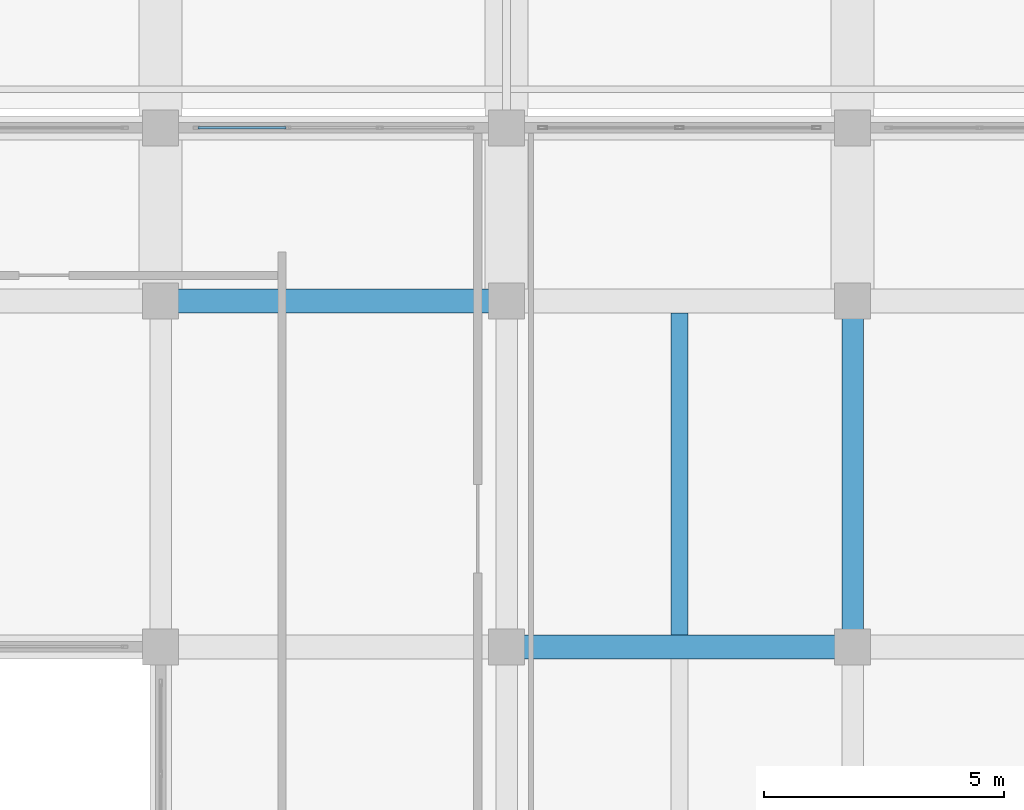
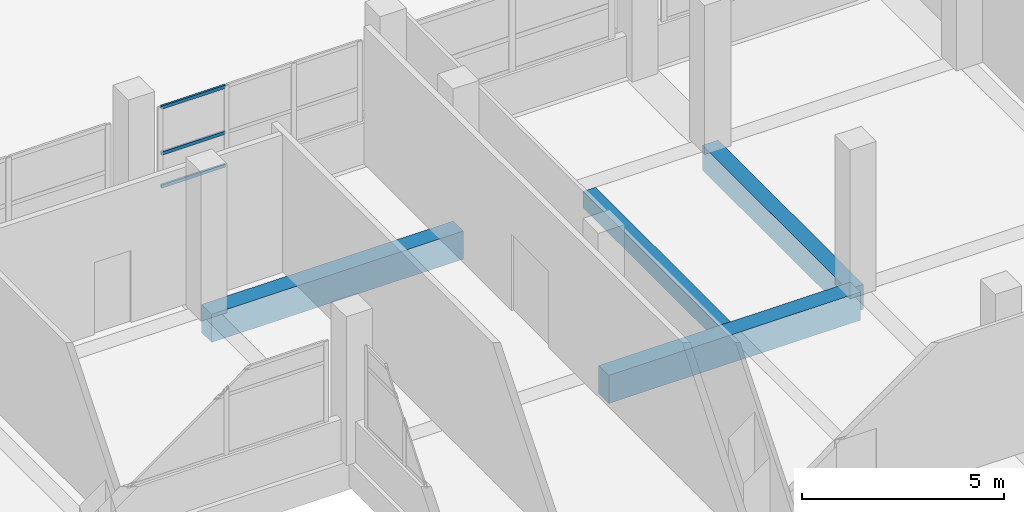
# One storey, part 90 of 141: 4 beams, 3 members, 1 element without a shape of its own.
"""IFC4 building model written with IfcOpenShell, lengths in metres."""

from ifc_helpers import new_model, si_unit, direction, frame, origin, origin_2d, place, context, subcontext, project, spatial, rectangle, hollow_rectangle, extrude, material, layer, layer_set, material_profile, profile_set, type_object, element, aggregate, save


model = new_model("IFC4")

# Units and contexts
model_context = context("Model", 3, precision=1e-05, world=origin(), true_north=direction((0.0, 1.0)))
body_context = subcontext(model_context, "Body", "Model", "MODEL_VIEW")
ifc_project = project(units=[si_unit("LENGTHUNIT", "METRE"), si_unit("AREAUNIT", "SQUARE_METRE"), si_unit("VOLUMEUNIT", "CUBIC_METRE"), si_unit("PLANEANGLEUNIT", "RADIAN"), si_unit("MASSUNIT", "GRAM", prefix="KILO")], contexts=[model_context])

# Site, building, storey
site_placement = place(None, origin())
site = spatial("IfcSite", under=ifc_project, at=site_placement, CompositionType="ELEMENT")
building_placement = place(site_placement, origin())
building = spatial("IfcBuilding", under=site, at=building_placement, Name="Seraya Terrace Polytechnic", CompositionType="ELEMENT")
storey_placement = place(building_placement, frame((0.0, 0.0, 14.39990234375)))
storey = spatial("IfcBuildingStorey", under=building, at=storey_placement, Name="L03", CompositionType="ELEMENT", Elevation=14.39990234375)

# Beams
ifc_material_1 = material(Name="Concrete C40/50", Category="concrete")
ifc_material_profile_1 = material_profile(ifc_material_1, rectangle(XDim=0.5, YDim=0.85009765625, at=origin_2d()), Name="RC 500x850")
ifc_profile_set_1 = profile_set([ifc_material_profile_1], Name="Concrete C40/50")
beam_type_1 = type_object("IfcBeamType", Name="BM-05", PredefinedType="BEAM", material=ifc_profile_set_1)
beam_1_placement = place(storey_placement, frame((86.39990234375, 64.800048828125, -0.4248046875), z_axis=(1.0, 0.0, 0.0), x_axis=(0.0, 1.0, 0.0)))
element("IfcBeam", 1, at=beam_1_placement, inside=storey, type_object=beam_type_1, Name="Beam BM-05 L03 X (86.4..93.6, 64.8)", PredefinedType="BEAM", context=body_context, shape_type="SweptSolid", body=[
    extrude(rectangle(XDim=0.5, YDim=0.85009765625, at=origin_2d()), origin(), (0.0, 0.0, 1.0), 7.2001953125),
])
beam_2_placement = place(storey_placement, frame((79.199951171875, 72.0, -0.4248046875), z_axis=(1.0, 0.0, 0.0), x_axis=(0.0, 1.0, 0.0)))
element("IfcBeam", 2, at=beam_2_placement, inside=storey, type_object=beam_type_1, Name="Beam BM-05 L03 X (79.2..86.4, 72.0)", PredefinedType="BEAM", context=body_context, shape_type="SweptSolid", body=[
    extrude(rectangle(XDim=0.5, YDim=0.85009765625, at=origin_2d()), origin(), (0.0, 0.0, 1.0), 7.199951171875),
])
ifc_material_profile_2 = material_profile(ifc_material_1, rectangle(XDim=0.449951171875, YDim=0.75, at=origin_2d()), Name="RC 450x750")
ifc_profile_set_2 = profile_set([ifc_material_profile_2], Name="Concrete C40/50")
beam_type_2 = type_object("IfcBeamType", Name="BM-08", PredefinedType="BEAM", material=ifc_profile_set_2)
beam_3_placement = place(storey_placement, frame((93.60009765625, 64.800048828125, -0.375), z_axis=(0.0, 1.0, 0.0), x_axis=(-1.0, 0.0, 0.0)))
element("IfcBeam", 3, at=beam_3_placement, inside=storey, type_object=beam_type_2, Name="Beam BM-08 L03 Y (93.6, 64.8..72.0)", PredefinedType="BEAM", context=body_context, shape_type="SweptSolid", body=[
    extrude(rectangle(XDim=0.449951171875, YDim=0.75, at=origin_2d()), origin(), (0.0, 0.0, 1.0), 7.199951171875),
])

# Curtain wall, members
ifc_material_2 = material(Name="Anodised aluminium EN AW-6063 T6", Category="aluminium")
ifc_layer = layer(ifc_material_2, 0.179931640625, Name="CW-15")
ifc_layer_set = layer_set([ifc_layer], Name="Anodised aluminium EN AW-6063 T6")
curtain_wall_type = type_object("IfcCurtainWallType", Name="CW-15", PredefinedType="NOTDEFINED", material=ifc_layer_set)
curtain_wall_placement = place(storey_placement, origin())
curtain_wall = element("IfcCurtainWall", 4, at=curtain_wall_placement, inside=storey, type_object=curtain_wall_type, Name="Unitised curtain wall CW-15 (CW-L03-123)", PredefinedType="NOTDEFINED")
ifc_material_profile_3 = material_profile(ifc_material_2, hollow_rectangle(XDim=0.054931640625, YDim=0.10009765625, WallThickness=0.0029296875, at=origin_2d()), Name="RHS 100x55x3.0")
ifc_profile_set_3 = profile_set([ifc_material_profile_3], Name="Anodised aluminium EN AW-6063 T6")
member_type = type_object("IfcMemberType", Name="CWT-03", PredefinedType="USERDEFINED", material=ifc_profile_set_3)
member_1_placement = place(storey_placement, frame((79.97998046875, 75.60009765625, 1.267578125), z_axis=(1.0, 0.0, 0.0), x_axis=(0.0, 1.0, 0.0)))
member_1 = element("IfcMember", 5, at=member_1_placement, type_object=member_type, Name="CW-15 transom 1.1", ObjectType="TRANSOM", PredefinedType="USERDEFINED", context=body_context, shape_type="SweptSolid", body=[
    extrude(hollow_rectangle(XDim=0.054931640625, YDim=0.10009765625, WallThickness=0.0029296875, at=origin_2d()), origin(), (0.0, 0.0, 1.0), 1.830078125),
])
member_2_placement = place(storey_placement, frame((79.97998046875, 75.60009765625, 2.264892578125), z_axis=(1.0, 0.0, 0.0), x_axis=(0.0, 1.0, 0.0)))
member_2 = element("IfcMember", 6, at=member_2_placement, type_object=member_type, Name="CW-15 transom 1.2", ObjectType="TRANSOM", PredefinedType="USERDEFINED", context=body_context, shape_type="SweptSolid", body=[
    extrude(hollow_rectangle(XDim=0.054931640625, YDim=0.10009765625, WallThickness=0.0029296875, at=origin_2d()), origin(), (0.0, 0.0, 1.0), 1.830078125),
])
member_3_placement = place(storey_placement, frame((79.97998046875, 75.60009765625, 3.652587890625), z_axis=(1.0, 0.0, 0.0), x_axis=(0.0, 1.0, 0.0)))
member_3 = element("IfcMember", 7, at=member_3_placement, type_object=member_type, Name="CW-15 transom 1.3", ObjectType="TRANSOM", PredefinedType="USERDEFINED", context=body_context, shape_type="SweptSolid", body=[
    extrude(hollow_rectangle(XDim=0.054931640625, YDim=0.10009765625, WallThickness=0.0029296875, at=origin_2d()), origin(), (0.0, 0.0, 1.0), 1.830078125),
])
aggregate(curtain_wall, [member_1, member_2, member_3])

# Beam
ifc_material_profile_4 = material_profile(ifc_material_1, rectangle(XDim=0.35009765625, YDim=0.5, at=origin_2d()), Name="RC 350x500")
ifc_profile_set_4 = profile_set([ifc_material_profile_4], Name="Concrete C40/50")
beam_type_3 = type_object("IfcBeamType", Name="JS-03", PredefinedType="JOIST", material=ifc_profile_set_4)
beam_4_placement = place(storey_placement, frame((90.0, 65.050048828125, -0.25), z_axis=(0.0, 1.0, 0.0), x_axis=(-1.0, 0.0, 0.0)))
element("IfcBeam", 8, at=beam_4_placement, inside=storey, type_object=beam_type_3, Name="Secondary joist JS-03 L03", PredefinedType="JOIST", context=body_context, shape_type="SweptSolid", body=[
    extrude(rectangle(XDim=0.35009765625, YDim=0.5, at=origin_2d()), origin(), (0.0, 0.0, 1.0), 6.699951171875),
])

save(model, "model.ifc")
